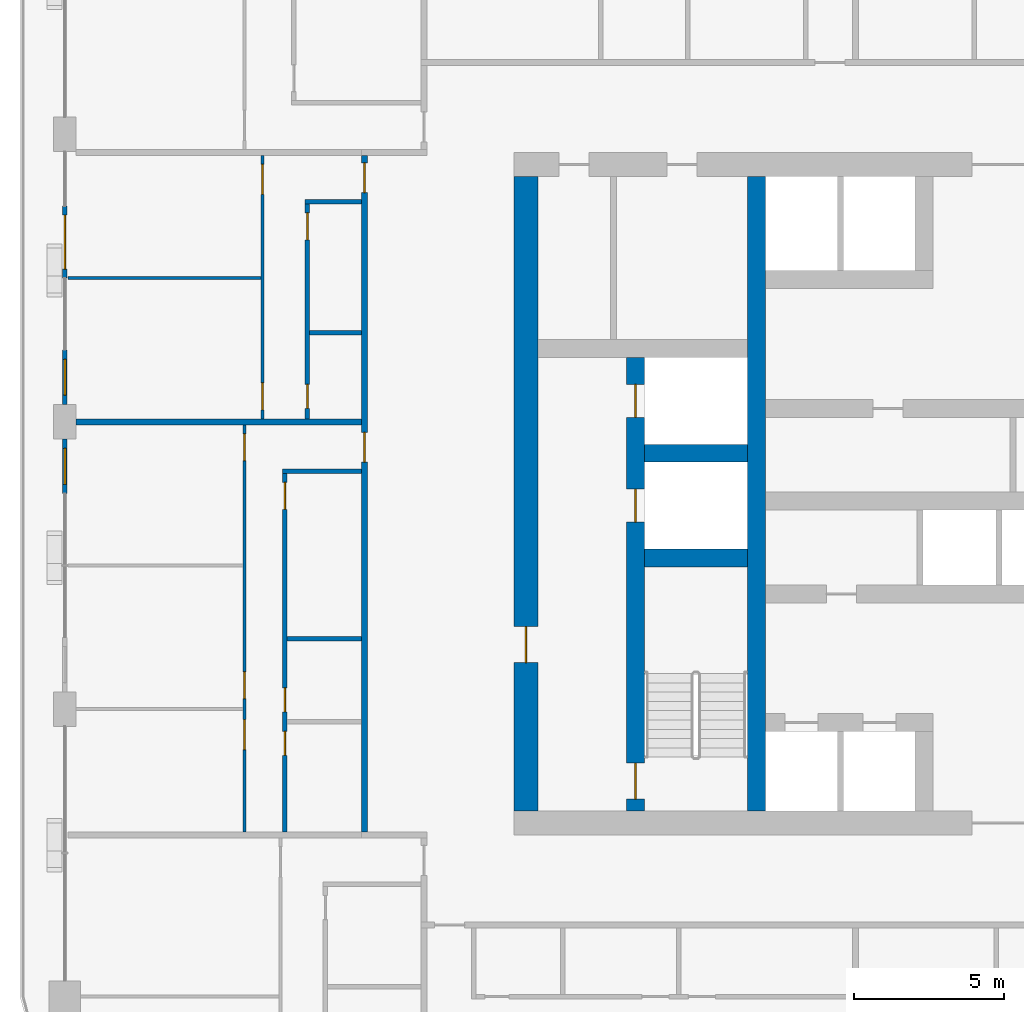
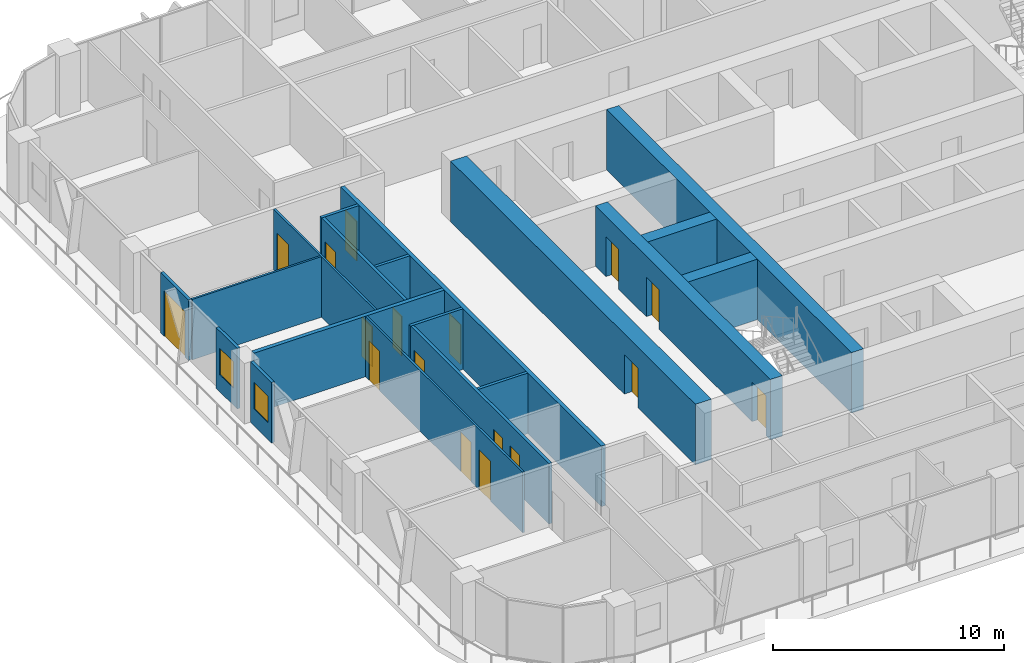
# One storey, part 10 of 22: 19 walls, 17 doors, 2 windows, 19 openings.
"""IFC4 building model written with IfcOpenShell, lengths in metres."""

from ifc_helpers import new_model, si_unit, direction, frame, frame_2d, origin, place, context, subcontext, project, spatial, rectangle, extrude, material, layer, layer_set, type_object, element, fill, save


model = new_model("IFC4")

# Units and contexts
model_context = context("Model", 3, precision=1e-05, world=origin(), true_north=direction((0.0, 1.0)))
body_context = subcontext(model_context, "Body", "Model", "MODEL_VIEW")
ifc_project = project(units=[si_unit("LENGTHUNIT", "METRE"), si_unit("AREAUNIT", "SQUARE_METRE"), si_unit("VOLUMEUNIT", "CUBIC_METRE"), si_unit("PLANEANGLEUNIT", "RADIAN"), si_unit("MASSUNIT", "GRAM", prefix="KILO")], contexts=[model_context])

# Site, building, storey
site_placement = place(None, origin())
site = spatial("IfcSite", under=ifc_project, at=site_placement, CompositionType="ELEMENT")
building_placement = place(site_placement, origin())
building = spatial("IfcBuilding", under=site, at=building_placement, Name="Madar Terraces", CompositionType="ELEMENT")
storey_placement = place(building_placement, frame((0.0, 0.0, 119.10009765625)))
storey = spatial("IfcBuildingStorey", under=building, at=storey_placement, Name="L30", CompositionType="ELEMENT", Elevation=119.10009765625)

# Wall, openings, doors
ifc_material_1 = material(Name="Concrete C70/85", Category="concrete")
ifc_layer_1 = layer(ifc_material_1, 0.60009765625)
ifc_layer_set_1 = layer_set([ifc_layer_1], Name="Concrete C70/85 (CIW3 RC wall 600)")
wall_type_1 = type_object("IfcWallType", Name="CIW3 RC wall 600", PredefinedType="SHEAR", material=ifc_layer_set_1)
wall_1_placement = place(storey_placement, frame((19.050048828125, 15.800048828125, 0.0), z_axis=(0.0, 0.0, 1.0), x_axis=(0.0, 1.0, 0.0)))
wall_1 = element("IfcWall", 1, at=wall_1_placement, inside=storey, type_object=wall_type_1, Name="CORE SHAFT WALL", PredefinedType="SHEAR", context=body_context, shape_type="SweptSolid", body=[
    extrude(rectangle(XDim=15.14990234375, YDim=0.60009765625, at=frame_2d((7.574951171875, 0.0))), origin(), (0.0, 0.0, 1.0), 3.199951171875),
])
opening_1_placement = place(wall_1_placement, frame((9.64990234375, 0.0, 0.0)))
opening_1 = element("IfcOpeningElement", 2, at=opening_1_placement, cuts=wall_1, Name="Opening LD", PredefinedType="OPENING", context=body_context, shape_type="SweptSolid", body=[
    extrude(rectangle(XDim=1.10009765625, YDim=2.10009765625, at=frame_2d((0.550048828125, 1.050048828125))), frame((0.0, 0.31005859375, 0.0), z_axis=(0.0, -1.0, 0.0), x_axis=(1.0, 0.0, 0.0)), (0.0, 0.0, 1.0), 0.6201171875),
])
opening_2_placement = place(wall_1_placement, frame((13.14990234375, 0.0, 0.0)))
opening_2 = element("IfcOpeningElement", 3, at=opening_2_placement, cuts=wall_1, Name="Opening LD", PredefinedType="OPENING", context=body_context, shape_type="SweptSolid", body=[
    extrude(rectangle(XDim=1.10009765625, YDim=2.10009765625, at=frame_2d((0.550048828125, 1.050048828125))), frame((0.0, 0.31005859375, 0.0), z_axis=(0.0, -1.0, 0.0), x_axis=(1.0, 0.0, 0.0)), (0.0, 0.0, 1.0), 0.6201171875),
])
opening_3_placement = place(wall_1_placement, frame((0.39990234375, 0.0, 0.0)))
opening_3 = element("IfcOpeningElement", 4, at=opening_3_placement, cuts=wall_1, Name="Opening SD1", PredefinedType="OPENING", context=body_context, shape_type="SweptSolid", body=[
    extrude(rectangle(XDim=1.199951171875, YDim=2.10009765625, at=frame_2d((0.60009765625, 1.050048828125))), frame((0.0, 0.31005859375, 0.0), z_axis=(0.0, -1.0, 0.0), x_axis=(1.0, 0.0, 0.0)), (0.0, 0.0, 1.0), 0.6201171875),
])
ifc_material_2 = material(Name="Stainless steel panel", Category="steel")
door_type_1 = type_object("IfcDoorType", Name="Lift landing door 1100 x 2100", OperationType="DOUBLE_DOOR_SLIDING", PredefinedType="DOOR", material=ifc_material_2)
door_1_placement = place(opening_1_placement, origin())
door_1 = element("IfcDoor", 5, at=door_1_placement, inside=storey, type_object=door_type_1, Name="LIFT LANDING DOOR", OperationType="DOUBLE_DOOR_SLIDING", OverallHeight=2.10009765625, OverallWidth=1.10009765625, PredefinedType="DOOR", context=body_context, shape_type="SweptSolid", body=[
    extrude(rectangle(XDim=1.10009765625, YDim=2.10009765625, at=frame_2d((0.550048828125, 1.050048828125))), frame((0.0, 0.02490234375, 0.0), z_axis=(0.0, -1.0, 0.0), x_axis=(1.0, 0.0, 0.0)), (0.0, 0.0, 1.0), 0.050048828125),
])
fill(opening_1, door_1)
door_2_placement = place(opening_2_placement, origin())
door_2 = element("IfcDoor", 6, at=door_2_placement, inside=storey, type_object=door_type_1, Name="LIFT LANDING DOOR", OperationType="DOUBLE_DOOR_SLIDING", OverallHeight=2.10009765625, OverallWidth=1.10009765625, PredefinedType="DOOR", context=body_context, shape_type="SweptSolid", body=[
    extrude(rectangle(XDim=1.10009765625, YDim=2.10009765625, at=frame_2d((0.550048828125, 1.050048828125))), frame((0.0, 0.02490234375, 0.0), z_axis=(0.0, -1.0, 0.0), x_axis=(1.0, 0.0, 0.0)), (0.0, 0.0, 1.0), 0.050048828125),
])
fill(opening_2, door_2)
ifc_material_3 = material(Name="Steel door leaf", Category="steel")
door_type_2 = type_object("IfcDoorType", Name="Stair door 1200 x 2100", OperationType="NOTDEFINED", PredefinedType="DOOR", material=ifc_material_3)
door_3_placement = place(opening_3_placement, frame((1.199951171875, 0.0, 0.0), z_axis=(0.0, 0.0, 1.0), x_axis=(-1.0, 0.0, 0.0)))
door_3 = element("IfcDoor", 7, at=door_3_placement, inside=storey, type_object=door_type_2, Name="STAIR DOOR", OperationType="SINGLE_SWING_RIGHT", OverallHeight=2.10009765625, OverallWidth=1.199951171875, PredefinedType="DOOR", context=body_context, shape_type="SweptSolid", body=[
    extrude(rectangle(XDim=1.199951171875, YDim=2.10009765625, at=frame_2d((0.60009765625, 1.050048828125))), frame((0.0, 0.02490234375, 0.0), z_axis=(0.0, -1.0, 0.0), x_axis=(1.0, 0.0, 0.0)), (0.0, 0.0, 1.0), 0.050048828125),
])
fill(opening_3, door_3)

# Walls
wall_2_placement = place(storey_placement, frame((23.10009765625, 15.800048828125, 0.0), z_axis=(0.0, 0.0, 1.0), x_axis=(0.0, 1.0, 0.0)))
element("IfcWall", 8, at=wall_2_placement, inside=storey, type_object=wall_type_1, Name="CORE SHAFT WALL", PredefinedType="SHEAR", context=body_context, shape_type="SweptSolid", body=[
    extrude(rectangle(XDim=21.199951171875, YDim=0.60009765625, at=frame_2d((10.60009765625, 0.0))), origin(), (0.0, 0.0, 1.0), 3.199951171875),
])
for number, where, z_axis, x_axis, name in (
    (9, (19.35009765625, 24.25, 0.0), (0.0, 0.0, 1.0), (1.0, 0.0, 0.0), "CORE SHAFT WALL"),
    (10, (19.35009765625, 27.75, 0.0), (0.0, 0.0, 1.0), (1.0, 0.0, 0.0), "CORE SHAFT WALL"),
):
    element("IfcWall", number, at=place(storey_placement, frame(where, z_axis=z_axis, x_axis=x_axis)), inside=storey, type_object=wall_type_1, Name=name, PredefinedType="SHEAR", context=body_context, shape_type="SweptSolid", body=[
        extrude(rectangle(XDim=3.449951171875, YDim=0.60009765625, at=frame_2d((1.72509765625, 0.0))), origin(), (0.0, 0.0, 1.0), 3.199951171875),
    ])

# Wall, opening, door
ifc_material_4 = material(Name="Concrete C70/85", Category="concrete")
ifc_layer_2 = layer(ifc_material_4, 0.800048828125)
ifc_layer_set_2 = layer_set([ifc_layer_2], Name="Concrete C70/85 (CRW3 RC wall 800)")
wall_type_2 = type_object("IfcWallType", Name="CRW3 RC wall 800", PredefinedType="SHEAR", material=ifc_layer_set_2)
wall_3_placement = place(storey_placement, frame((15.39990234375, 15.800048828125, 0.0), z_axis=(0.0, 0.0, 1.0), x_axis=(0.0, 1.0, 0.0)))
wall_3 = element("IfcWall", 11, at=wall_3_placement, inside=storey, type_object=wall_type_2, Name="CORE OUTER WALL", PredefinedType="SHEAR", context=body_context, shape_type="SweptSolid", body=[
    extrude(rectangle(XDim=21.199951171875, YDim=0.800048828125, at=frame_2d((10.60009765625, 0.0))), origin(), (0.0, 0.0, 1.0), 3.199951171875),
])
opening_4_placement = place(wall_3_placement, frame((4.9599609375, 0.0, 0.0)))
opening_4 = element("IfcOpeningElement", 12, at=opening_4_placement, cuts=wall_3, Name="Opening SD1", PredefinedType="OPENING", context=body_context, shape_type="SweptSolid", body=[
    extrude(rectangle(XDim=1.199951171875, YDim=2.10009765625, at=frame_2d((0.60009765625, 1.050048828125))), frame((0.0, 0.409912109375, 0.0), z_axis=(0.0, -1.0, 0.0), x_axis=(1.0, 0.0, 0.0)), (0.0, 0.0, 1.0), 0.820068359375),
])
door_4_placement = place(opening_4_placement, frame((1.199951171875, 0.0, 0.0), z_axis=(0.0, 0.0, 1.0), x_axis=(-1.0, 0.0, 0.0)))
door_4 = element("IfcDoor", 13, at=door_4_placement, inside=storey, type_object=door_type_2, Name="STAIR DOOR", OperationType="SINGLE_SWING_LEFT", OverallHeight=2.10009765625, OverallWidth=1.199951171875, PredefinedType="DOOR", context=body_context, shape_type="SweptSolid", body=[
    extrude(rectangle(XDim=1.199951171875, YDim=2.10009765625, at=frame_2d((0.60009765625, 1.050048828125))), frame((0.0, 0.02490234375, 0.0), z_axis=(0.0, -1.0, 0.0), x_axis=(1.0, 0.0, 0.0)), (0.0, 0.0, 1.0), 0.050048828125),
])
fill(opening_4, door_4)

ifc_material_5 = material(Name="Aluminium composite panel, black, over insulated backing", Category="aluminium")
ifc_layer_3 = layer(ifc_material_5, 0.14990234375)
ifc_layer_set_3 = layer_set([ifc_layer_3], Name="Facade bay panel 150")
wall_type_3 = type_object("IfcWallType", Name="Facade bay panel 150", PredefinedType="SOLIDWALL", material=ifc_layer_set_3)
wall_4_placement = place(storey_placement, frame((0.0, 36.0, 0.0), z_axis=(0.0, 0.0, 1.0), x_axis=(0.0, -1.0, 0.0)))
wall_4 = element("IfcWall", 14, at=wall_4_placement, inside=storey, type_object=wall_type_3, Name="Facade bay panel", PredefinedType="SOLIDWALL", context=body_context, shape_type="SweptSolid", body=[
    extrude(rectangle(XDim=2.39990234375, YDim=0.14990234375, at=frame_2d((1.199951171875, 0.0))), origin(), (0.0, 0.0, 1.0), 3.199951171875),
])
opening_5_placement = place(wall_4_placement, frame((0.300048828125, 0.0, 0.0)))
opening_5 = element("IfcOpeningElement", 15, at=opening_5_placement, cuts=wall_4, Name="Opening ED1", PredefinedType="OPENING", context=body_context, shape_type="SweptSolid", body=[
    extrude(rectangle(XDim=1.800048828125, YDim=2.39990234375, at=frame_2d((0.89990234375, 1.199951171875))), frame((0.0, 0.0849609375, 0.0), z_axis=(0.0, -1.0, 0.0), x_axis=(1.0, 0.0, 0.0)), (0.0, 0.0, 1.0), 0.169921875),
])
ifc_material_6 = material(Name="Glass, clear, with black aluminium frame", Category="aluminium")
door_type_3 = type_object("IfcDoorType", Name="Balcony and terrace sliding door 1800 x 2400", OperationType="SLIDING_TO_LEFT", PredefinedType="DOOR", material=ifc_material_6)
door_5_placement = place(opening_5_placement, origin())
door_5 = element("IfcDoor", 16, at=door_5_placement, inside=storey, type_object=door_type_3, Name="Balcony door", OperationType="SLIDING_TO_LEFT", OverallHeight=2.39990234375, OverallWidth=1.800048828125, PredefinedType="DOOR", context=body_context, shape_type="SweptSolid", body=[
    extrude(rectangle(XDim=1.800048828125, YDim=2.39990234375, at=frame_2d((0.89990234375, 1.199951171875))), frame((0.0, 0.02490234375, 0.0), z_axis=(0.0, -1.0, 0.0), x_axis=(1.0, 0.0, 0.0)), (0.0, 0.0, 1.0), 0.050048828125),
])
fill(opening_5, door_5)

# Wall, opening, window
wall_5_placement = place(storey_placement, frame((0.0, 31.199951171875, 0.0), z_axis=(0.0, 0.0, 1.0), x_axis=(0.0, -1.0, 0.0)))
wall_5 = element("IfcWall", 17, at=wall_5_placement, inside=storey, type_object=wall_type_3, Name="Facade bay panel", PredefinedType="SOLIDWALL", context=body_context, shape_type="SweptSolid", body=[
    extrude(rectangle(XDim=1.824951171875, YDim=0.14990234375, at=frame_2d((0.91259765625, 0.0))), origin(), (0.0, 0.0, 1.0), 3.199951171875),
])
opening_6_placement = place(wall_5_placement, frame((0.3125, 0.0, 0.89990234375)))
opening_6 = element("IfcOpeningElement", 18, at=opening_6_placement, cuts=wall_5, Name="Opening W1", PredefinedType="OPENING", context=body_context, shape_type="SweptSolid", body=[
    extrude(rectangle(XDim=1.199951171875, YDim=1.39990234375, at=frame_2d((0.60009765625, 0.699951171875))), frame((0.0, 0.0849609375, 0.0), z_axis=(0.0, -1.0, 0.0), x_axis=(1.0, 0.0, 0.0)), (0.0, 0.0, 1.0), 0.169921875),
])
ifc_material_7 = material(Name="Glass, clear, with black aluminium frame", Category="aluminium")
window_type = type_object("IfcWindowType", Name="Vent window 1200 x 1400", PartitioningType="SINGLE_PANEL", PredefinedType="WINDOW", material=ifc_material_7)
window_1_placement = place(opening_6_placement, origin())
window_1 = element("IfcWindow", 19, at=window_1_placement, inside=storey, type_object=window_type, Name="Operable vent window", OverallHeight=1.39990234375, OverallWidth=1.199951171875, PartitioningType="SINGLE_PANEL", PredefinedType="WINDOW", context=body_context, shape_type="SweptSolid", body=[
    extrude(rectangle(XDim=1.199951171875, YDim=1.39990234375, at=frame_2d((0.60009765625, 0.699951171875))), frame((0.0, 0.030029296875, 0.0), z_axis=(0.0, -1.0, 0.0), x_axis=(1.0, 0.0, 0.0)), (0.0, 0.0, 1.0), 0.06005859375),
])
fill(opening_6, window_1)

wall_6_placement = place(storey_placement, frame((0.0, 28.22509765625, 0.0), z_axis=(0.0, 0.0, 1.0), x_axis=(0.0, -1.0, 0.0)))
wall_6 = element("IfcWall", 20, at=wall_6_placement, inside=storey, type_object=wall_type_3, Name="Facade bay panel", PredefinedType="SOLIDWALL", context=body_context, shape_type="SweptSolid", body=[
    extrude(rectangle(XDim=1.8251953125, YDim=0.14990234375, at=frame_2d((0.91259765625, 0.0))), origin(), (0.0, 0.0, 1.0), 3.199951171875),
])
opening_7_placement = place(wall_6_placement, frame((0.3125, 0.0, 0.89990234375)))
opening_7 = element("IfcOpeningElement", 21, at=opening_7_placement, cuts=wall_6, Name="Opening W1", PredefinedType="OPENING", context=body_context, shape_type="SweptSolid", body=[
    extrude(rectangle(XDim=1.199951171875, YDim=1.39990234375, at=frame_2d((0.60009765625, 0.699951171875))), frame((0.0, 0.0849609375, 0.0), z_axis=(0.0, -1.0, 0.0), x_axis=(1.0, 0.0, 0.0)), (0.0, 0.0, 1.0), 0.169921875),
])
window_2_placement = place(opening_7_placement, origin())
window_2 = element("IfcWindow", 22, at=window_2_placement, inside=storey, type_object=window_type, Name="Operable vent window", OverallHeight=1.39990234375, OverallWidth=1.199951171875, PartitioningType="SINGLE_PANEL", PredefinedType="WINDOW", context=body_context, shape_type="SweptSolid", body=[
    extrude(rectangle(XDim=1.199951171875, YDim=1.39990234375, at=frame_2d((0.60009765625, 0.699951171875))), frame((0.0, 0.030029296875, 0.0), z_axis=(0.0, -1.0, 0.0), x_axis=(1.0, 0.0, 0.0)), (0.0, 0.0, 1.0), 0.06005859375),
])
fill(opening_7, window_2)

# Wall
ifc_material_8 = material(Name="Gypsum board on steel studs", Category="steel")
ifc_layer_4 = layer(ifc_material_8, 0.10009765625)
ifc_layer_set_4 = layer_set([ifc_layer_4], Name="Flat partition 100")
wall_type_4 = type_object("IfcWallType", Name="Flat partition 100", PredefinedType="PARTITIONING", material=ifc_layer_set_4)
wall_7_placement = place(storey_placement, frame((6.550048828125, 33.60009765625, 0.0), z_axis=(0.0, 0.0, 1.0), x_axis=(-1.0, 0.0, 0.0)))
element("IfcWall", 23, at=wall_7_placement, inside=storey, type_object=wall_type_4, Name="Flat partition 100", PredefinedType="PARTITIONING", context=body_context, shape_type="SweptSolid", body=[
    extrude(rectangle(XDim=6.449951171875, YDim=0.10009765625, at=frame_2d((3.22509765625, 0.0))), origin(), (0.0, 0.0, 1.0), 3.199951171875),
])

# Wall, openings, doors
wall_8_placement = place(storey_placement, frame((6.60009765625, 28.89990234375, 0.0), z_axis=(0.0, 0.0, 1.0), x_axis=(0.0, 1.0, 0.0)))
wall_8 = element("IfcWall", 24, at=wall_8_placement, inside=storey, type_object=wall_type_4, Name="Flat partition 100", PredefinedType="PARTITIONING", context=body_context, shape_type="SweptSolid", body=[
    extrude(rectangle(XDim=8.800048828125, YDim=0.10009765625, at=frame_2d((4.39990234375, 0.0))), origin(), (0.0, 0.0, 1.0), 3.199951171875),
])
opening_8_placement = place(wall_8_placement, frame((7.5, 0.0, 0.0)))
opening_8 = element("IfcOpeningElement", 25, at=opening_8_placement, cuts=wall_8, Name="Opening D3", PredefinedType="OPENING", context=body_context, shape_type="SweptSolid", body=[
    extrude(rectangle(XDim=1.0, YDim=2.10009765625, at=frame_2d((0.5, 1.050048828125))), frame((0.0, 0.06005859375, 0.0), z_axis=(0.0, -1.0, 0.0), x_axis=(1.0, 0.0, 0.0)), (0.0, 0.0, 1.0), 0.1201171875),
])
opening_9_placement = place(wall_8_placement, frame((0.300048828125, 0.0, 0.0)))
opening_9 = element("IfcOpeningElement", 26, at=opening_9_placement, cuts=wall_8, Name="Opening D2", PredefinedType="OPENING", context=body_context, shape_type="SweptSolid", body=[
    extrude(rectangle(XDim=0.89990234375, YDim=2.10009765625, at=frame_2d((0.449951171875, 1.050048828125))), frame((0.0, 0.06005859375, 0.0), z_axis=(0.0, -1.0, 0.0), x_axis=(1.0, 0.0, 0.0)), (0.0, 0.0, 1.0), 0.1201171875),
])
ifc_material_9 = material(Name="Timber door leaf", Category="wood")
door_type_4 = type_object("IfcDoorType", Name="Flat living room door 1000", OperationType="NOTDEFINED", PredefinedType="DOOR", material=ifc_material_9)
door_6_placement = place(opening_8_placement, origin())
door_6 = element("IfcDoor", 27, at=door_6_placement, inside=storey, type_object=door_type_4, Name="Flat living room door 1000", OperationType="SINGLE_SWING_RIGHT", OverallHeight=2.10009765625, OverallWidth=1.0, PredefinedType="DOOR", context=body_context, shape_type="SweptSolid", body=[
    extrude(rectangle(XDim=1.0, YDim=2.10009765625, at=frame_2d((0.5, 1.050048828125))), frame((0.0, 0.02490234375, 0.0), z_axis=(0.0, -1.0, 0.0), x_axis=(1.0, 0.0, 0.0)), (0.0, 0.0, 1.0), 0.050048828125),
])
fill(opening_8, door_6)
ifc_material_10 = material(Name="Timber door leaf", Category="wood")
door_type_5 = type_object("IfcDoorType", Name="Flat room door 900", OperationType="NOTDEFINED", PredefinedType="DOOR", material=ifc_material_10)
door_7_placement = place(opening_9_placement, origin())
door_7 = element("IfcDoor", 28, at=door_7_placement, inside=storey, type_object=door_type_5, Name="Flat room door 900", OperationType="SINGLE_SWING_LEFT", OverallHeight=2.10009765625, OverallWidth=0.89990234375, PredefinedType="DOOR", context=body_context, shape_type="SweptSolid", body=[
    extrude(rectangle(XDim=0.89990234375, YDim=2.10009765625, at=frame_2d((0.449951171875, 1.050048828125))), frame((0.0, 0.02490234375, 0.0), z_axis=(0.0, -1.0, 0.0), x_axis=(1.0, 0.0, 0.0)), (0.0, 0.0, 1.0), 0.050048828125),
])
fill(opening_9, door_7)

wall_9_placement = place(storey_placement, frame((6.0, 15.10009765625, 0.0), z_axis=(0.0, 0.0, 1.0), x_axis=(0.0, 1.0, 0.0)))
wall_9 = element("IfcWall", 29, at=wall_9_placement, inside=storey, type_object=wall_type_4, Name="Flat partition 100", PredefinedType="PARTITIONING", context=body_context, shape_type="SweptSolid", body=[
    extrude(rectangle(XDim=13.599853515625, YDim=0.10009765625, at=frame_2d((6.7998046875, 0.0))), origin(), (0.0, 0.0, 1.0), 3.199951171875),
])
opening_10_placement = place(wall_9_placement, frame((12.39990234375, 0.0, 0.0)))
opening_10 = element("IfcOpeningElement", 30, at=opening_10_placement, cuts=wall_9, Name="Opening D2", PredefinedType="OPENING", context=body_context, shape_type="SweptSolid", body=[
    extrude(rectangle(XDim=0.89990234375, YDim=2.10009765625, at=frame_2d((0.449951171875, 1.050048828125))), frame((0.0, 0.06005859375, 0.0), z_axis=(0.0, -1.0, 0.0), x_axis=(1.0, 0.0, 0.0)), (0.0, 0.0, 1.0), 0.1201171875),
])
opening_11_placement = place(wall_9_placement, frame((4.449951171875, 0.0, 0.0)))
opening_11 = element("IfcOpeningElement", 31, at=opening_11_placement, cuts=wall_9, Name="Opening D2", PredefinedType="OPENING", context=body_context, shape_type="SweptSolid", body=[
    extrude(rectangle(XDim=0.89990234375, YDim=2.10009765625, at=frame_2d((0.449951171875, 1.050048828125))), frame((0.0, 0.06005859375, 0.0), z_axis=(0.0, -1.0, 0.0), x_axis=(1.0, 0.0, 0.0)), (0.0, 0.0, 1.0), 0.1201171875),
])
opening_12_placement = place(wall_9_placement, frame((2.75, 0.0, 0.0)))
opening_12 = element("IfcOpeningElement", 32, at=opening_12_placement, cuts=wall_9, Name="Opening D3", PredefinedType="OPENING", context=body_context, shape_type="SweptSolid", body=[
    extrude(rectangle(XDim=1.0, YDim=2.10009765625, at=frame_2d((0.5, 1.050048828125))), frame((0.0, 0.06005859375, 0.0), z_axis=(0.0, -1.0, 0.0), x_axis=(1.0, 0.0, 0.0)), (0.0, 0.0, 1.0), 0.1201171875),
])
door_8_placement = place(opening_12_placement, origin())
door_8 = element("IfcDoor", 33, at=door_8_placement, inside=storey, type_object=door_type_4, Name="Flat living room door 1000", OperationType="SINGLE_SWING_RIGHT", OverallHeight=2.10009765625, OverallWidth=1.0, PredefinedType="DOOR", context=body_context, shape_type="SweptSolid", body=[
    extrude(rectangle(XDim=1.0, YDim=2.10009765625, at=frame_2d((0.5, 1.050048828125))), frame((0.0, 0.02490234375, 0.0), z_axis=(0.0, -1.0, 0.0), x_axis=(1.0, 0.0, 0.0)), (0.0, 0.0, 1.0), 0.050048828125),
])
fill(opening_12, door_8)
door_9_placement = place(opening_10_placement, origin())
door_9 = element("IfcDoor", 34, at=door_9_placement, inside=storey, type_object=door_type_5, Name="Flat room door 900", OperationType="SINGLE_SWING_RIGHT", OverallHeight=2.10009765625, OverallWidth=0.89990234375, PredefinedType="DOOR", context=body_context, shape_type="SweptSolid", body=[
    extrude(rectangle(XDim=0.89990234375, YDim=2.10009765625, at=frame_2d((0.449951171875, 1.050048828125))), frame((0.0, 0.02490234375, 0.0), z_axis=(0.0, -1.0, 0.0), x_axis=(1.0, 0.0, 0.0)), (0.0, 0.0, 1.0), 0.050048828125),
])
fill(opening_10, door_9)
door_10_placement = place(opening_11_placement, origin())
door_10 = element("IfcDoor", 35, at=door_10_placement, inside=storey, type_object=door_type_5, Name="Flat room door 900", OperationType="SINGLE_SWING_LEFT", OverallHeight=2.10009765625, OverallWidth=0.89990234375, PredefinedType="DOOR", context=body_context, shape_type="SweptSolid", body=[
    extrude(rectangle(XDim=0.89990234375, YDim=2.10009765625, at=frame_2d((0.449951171875, 1.050048828125))), frame((0.0, 0.02490234375, 0.0), z_axis=(0.0, -1.0, 0.0), x_axis=(1.0, 0.0, 0.0)), (0.0, 0.0, 1.0), 0.050048828125),
])
fill(opening_11, door_10)

ifc_material_11 = material(Name="Lightweight blockwork", Category="masonry")
ifc_layer_5 = layer(ifc_material_11, 0.199951171875)
ifc_layer_set_5 = layer_set([ifc_layer_5], Name="Flat party and entrance wall 200")
wall_type_5 = type_object("IfcWallType", Name="Flat party and entrance wall 200", PredefinedType="PARTITIONING", material=ifc_layer_set_5)
wall_10_placement = place(storey_placement, frame((10.0, 15.10009765625, 0.0), z_axis=(0.0, 0.0, 1.0), x_axis=(0.0, 1.0, 0.0)))
wall_10 = element("IfcWall", 36, at=wall_10_placement, inside=storey, type_object=wall_type_5, Name="Flat party and entrance wall 200", PredefinedType="PARTITIONING", context=body_context, shape_type="SweptSolid", body=[
    extrude(rectangle(XDim=22.599853515625, YDim=0.199951171875, at=frame_2d((11.2998046875, 0.0))), origin(), (0.0, 0.0, 1.0), 3.199951171875),
])
opening_13_placement = place(wall_10_placement, frame((21.35009765625, 0.0, 0.0)))
opening_13 = element("IfcOpeningElement", 37, at=opening_13_placement, cuts=wall_10, Name="Opening D1", PredefinedType="OPENING", context=body_context, shape_type="SweptSolid", body=[
    extrude(rectangle(XDim=1.0, YDim=2.10009765625, at=frame_2d((0.5, 1.050048828125))), frame((0.0, 0.10986328125, 0.0), z_axis=(0.0, -1.0, 0.0), x_axis=(1.0, 0.0, 0.0)), (0.0, 0.0, 1.0), 0.219970703125),
])
opening_14_placement = place(wall_10_placement, frame((12.35009765625, 0.0, 0.0)))
opening_14 = element("IfcOpeningElement", 38, at=opening_14_placement, cuts=wall_10, Name="Opening D1", PredefinedType="OPENING", context=body_context, shape_type="SweptSolid", body=[
    extrude(rectangle(XDim=1.0, YDim=2.10009765625, at=frame_2d((0.5, 1.050048828125))), frame((0.0, 0.10986328125, 0.0), z_axis=(0.0, -1.0, 0.0), x_axis=(1.0, 0.0, 0.0)), (0.0, 0.0, 1.0), 0.219970703125),
])
ifc_material_12 = material(Name="Timber fire door leaf", Category="wood")
door_type_6 = type_object("IfcDoorType", Name="Flat entrance door 1000 FD30S", OperationType="NOTDEFINED", PredefinedType="DOOR", material=ifc_material_12)
door_11_placement = place(opening_13_placement, origin())
door_11 = element("IfcDoor", 39, at=door_11_placement, inside=storey, type_object=door_type_6, Name="Flat entrance door 1000 FD30S", OperationType="SINGLE_SWING_RIGHT", OverallHeight=2.10009765625, OverallWidth=1.0, PredefinedType="DOOR", context=body_context, shape_type="SweptSolid", body=[
    extrude(rectangle(XDim=1.0, YDim=2.10009765625, at=frame_2d((0.5, 1.050048828125))), frame((0.0, 0.02490234375, 0.0), z_axis=(0.0, -1.0, 0.0), x_axis=(1.0, 0.0, 0.0)), (0.0, 0.0, 1.0), 0.050048828125),
])
fill(opening_13, door_11)
door_12_placement = place(opening_14_placement, origin())
door_12 = element("IfcDoor", 40, at=door_12_placement, inside=storey, type_object=door_type_6, Name="Flat entrance door 1000 FD30S", OperationType="SINGLE_SWING_RIGHT", OverallHeight=2.10009765625, OverallWidth=1.0, PredefinedType="DOOR", context=body_context, shape_type="SweptSolid", body=[
    extrude(rectangle(XDim=1.0, YDim=2.10009765625, at=frame_2d((0.5, 1.050048828125))), frame((0.0, 0.02490234375, 0.0), z_axis=(0.0, -1.0, 0.0), x_axis=(1.0, 0.0, 0.0)), (0.0, 0.0, 1.0), 0.050048828125),
])
fill(opening_14, door_12)

# Walls
wall_11_placement = place(storey_placement, frame((0.375, 28.800048828125, 0.0), z_axis=(0.0, 0.0, 1.0), x_axis=(1.0, 0.0, 0.0)))
element("IfcWall", 41, at=wall_11_placement, inside=storey, type_object=wall_type_5, Name="Flat party and entrance wall 200", PredefinedType="PARTITIONING", context=body_context, shape_type="SweptSolid", body=[
    extrude(rectangle(XDim=9.52490234375, YDim=0.199951171875, at=frame_2d((4.762451171875, 0.0))), origin(), (0.0, 0.0, 1.0), 3.199951171875),
])
ifc_material_13 = material(Name="Lightweight blockwork", Category="masonry")
ifc_layer_6 = layer(ifc_material_13, 0.14990234375)
ifc_layer_set_6 = layer_set([ifc_layer_6], Name="Flat wet-room partition 150")
wall_type_6 = type_object("IfcWallType", Name="Flat wet-room partition 150", PredefinedType="PARTITIONING", material=ifc_layer_set_6)
wall_12_placement = place(storey_placement, frame((9.89990234375, 31.77001953125, 0.0), z_axis=(0.0, 0.0, 1.0), x_axis=(-1.0, 0.0, 0.0)))
element("IfcWall", 42, at=wall_12_placement, inside=storey, type_object=wall_type_6, Name="Flat wet-room partition 150", PredefinedType="PARTITIONING", context=body_context, shape_type="SweptSolid", body=[
    extrude(rectangle(XDim=1.724853515625, YDim=0.14990234375, at=frame_2d((0.8623046875, 0.0))), origin(), (0.0, 0.0, 1.0), 3.199951171875),
])
wall_13_placement = place(storey_placement, frame((9.89990234375, 36.14990234375, 0.0), z_axis=(0.0, 0.0, 1.0), x_axis=(-1.0, 0.0, 0.0)))
element("IfcWall", 43, at=wall_13_placement, inside=storey, type_object=wall_type_6, Name="Flat wet-room partition 150", PredefinedType="PARTITIONING", context=body_context, shape_type="SweptSolid", body=[
    extrude(rectangle(XDim=1.875, YDim=0.14990234375, at=frame_2d((0.9375, 0.0))), origin(), (0.0, 0.0, 1.0), 3.199951171875),
])

# Wall, openings, doors
wall_14_placement = place(storey_placement, frame((8.10009765625, 36.074951171875, 0.0), z_axis=(0.0, 0.0, 1.0), x_axis=(0.0, -1.0, 0.0)))
wall_14 = element("IfcWall", 44, at=wall_14_placement, inside=storey, type_object=wall_type_6, Name="Flat wet-room partition 150", PredefinedType="PARTITIONING", context=body_context, shape_type="SweptSolid", body=[
    extrude(rectangle(XDim=7.175048828125, YDim=0.14990234375, at=frame_2d((3.58740234375, 0.0))), origin(), (0.0, 0.0, 1.0), 3.199951171875),
])
opening_15_placement = place(wall_14_placement, frame((0.300048828125, 0.0, 0.0)))
opening_15 = element("IfcOpeningElement", 45, at=opening_15_placement, cuts=wall_14, Name="Opening D2", PredefinedType="OPENING", context=body_context, shape_type="SweptSolid", body=[
    extrude(rectangle(XDim=0.89990234375, YDim=2.10009765625, at=frame_2d((0.449951171875, 1.050048828125))), frame((0.0, 0.0849609375, 0.0), z_axis=(0.0, -1.0, 0.0), x_axis=(1.0, 0.0, 0.0)), (0.0, 0.0, 1.0), 0.169921875),
])
opening_16_placement = place(wall_14_placement, frame((6.02490234375, 0.0, 0.0)))
opening_16 = element("IfcOpeningElement", 46, at=opening_16_placement, cuts=wall_14, Name="Opening D4", PredefinedType="OPENING", context=body_context, shape_type="SweptSolid", body=[
    extrude(rectangle(XDim=0.800048828125, YDim=2.10009765625, at=frame_2d((0.39990234375, 1.050048828125))), frame((0.0, 0.0849609375, 0.0), z_axis=(0.0, -1.0, 0.0), x_axis=(1.0, 0.0, 0.0)), (0.0, 0.0, 1.0), 0.169921875),
])
ifc_material_14 = material(Name="Timber door leaf", Category="wood")
door_type_7 = type_object("IfcDoorType", Name="Flat bathroom door 800", OperationType="NOTDEFINED", PredefinedType="DOOR", material=ifc_material_14)
door_13_placement = place(opening_16_placement, origin())
door_13 = element("IfcDoor", 47, at=door_13_placement, inside=storey, type_object=door_type_7, Name="Flat bathroom door 800", OperationType="SINGLE_SWING_RIGHT", OverallHeight=2.10009765625, OverallWidth=0.800048828125, PredefinedType="DOOR", context=body_context, shape_type="SweptSolid", body=[
    extrude(rectangle(XDim=0.800048828125, YDim=2.10009765625, at=frame_2d((0.39990234375, 1.050048828125))), frame((0.0, 0.02490234375, 0.0), z_axis=(0.0, -1.0, 0.0), x_axis=(1.0, 0.0, 0.0)), (0.0, 0.0, 1.0), 0.050048828125),
])
fill(opening_16, door_13)
door_14_placement = place(opening_15_placement, origin())
door_14 = element("IfcDoor", 48, at=door_14_placement, inside=storey, type_object=door_type_5, Name="Flat room door 900", OperationType="SINGLE_SWING_LEFT", OverallHeight=2.10009765625, OverallWidth=0.89990234375, PredefinedType="DOOR", context=body_context, shape_type="SweptSolid", body=[
    extrude(rectangle(XDim=0.89990234375, YDim=2.10009765625, at=frame_2d((0.449951171875, 1.050048828125))), frame((0.0, 0.02490234375, 0.0), z_axis=(0.0, -1.0, 0.0), x_axis=(1.0, 0.0, 0.0)), (0.0, 0.0, 1.0), 0.050048828125),
])
fill(opening_15, door_14)

# Walls
wall_15_placement = place(storey_placement, frame((9.89990234375, 21.548095703125, 0.0), z_axis=(0.0, 0.0, 1.0), x_axis=(-1.0, 0.0, 0.0)))
element("IfcWall", 49, at=wall_15_placement, inside=storey, type_object=wall_type_6, Name="Flat wet-room partition 150", PredefinedType="PARTITIONING", context=body_context, shape_type="SweptSolid", body=[
    extrude(rectangle(XDim=2.474853515625, YDim=0.14990234375, at=frame_2d((1.2373046875, 0.0))), origin(), (0.0, 0.0, 1.0), 3.199951171875),
])
wall_16_placement = place(storey_placement, frame((9.89990234375, 27.14990234375, 0.0), z_axis=(0.0, 0.0, 1.0), x_axis=(-1.0, 0.0, 0.0)))
element("IfcWall", 50, at=wall_16_placement, inside=storey, type_object=wall_type_6, Name="Flat wet-room partition 150", PredefinedType="PARTITIONING", context=body_context, shape_type="SweptSolid", body=[
    extrude(rectangle(XDim=2.625, YDim=0.14990234375, at=frame_2d((1.3125, 0.0))), origin(), (0.0, 0.0, 1.0), 3.199951171875),
])

# Wall, openings, doors
wall_17_placement = place(storey_placement, frame((7.35009765625, 27.074951171875, 0.0), z_axis=(0.0, 0.0, 1.0), x_axis=(0.0, -1.0, 0.0)))
wall_17 = element("IfcWall", 51, at=wall_17_placement, inside=storey, type_object=wall_type_6, Name="Flat wet-room partition 150", PredefinedType="PARTITIONING", context=body_context, shape_type="SweptSolid", body=[
    extrude(rectangle(XDim=11.974853515625, YDim=0.14990234375, at=frame_2d((5.9873046875, 0.0))), origin(), (0.0, 0.0, 1.0), 3.199951171875),
])
opening_17_placement = place(wall_17_placement, frame((0.300048828125, 0.0, 0.0)))
opening_17 = element("IfcOpeningElement", 52, at=opening_17_placement, cuts=wall_17, Name="Opening D2", PredefinedType="OPENING", context=body_context, shape_type="SweptSolid", body=[
    extrude(rectangle(XDim=0.89990234375, YDim=2.10009765625, at=frame_2d((0.449951171875, 1.050048828125))), frame((0.0, 0.0849609375, 0.0), z_axis=(0.0, -1.0, 0.0), x_axis=(1.0, 0.0, 0.0)), (0.0, 0.0, 1.0), 0.169921875),
])
opening_18_placement = place(wall_17_placement, frame((7.165283203125, 0.0, 0.0)))
opening_18 = element("IfcOpeningElement", 53, at=opening_18_placement, cuts=wall_17, Name="Opening D4", PredefinedType="OPENING", context=body_context, shape_type="SweptSolid", body=[
    extrude(rectangle(XDim=0.800048828125, YDim=2.10009765625, at=frame_2d((0.39990234375, 1.050048828125))), frame((0.0, 0.0849609375, 0.0), z_axis=(0.0, -1.0, 0.0), x_axis=(1.0, 0.0, 0.0)), (0.0, 0.0, 1.0), 0.169921875),
])
opening_19_placement = place(wall_17_placement, frame((8.615478515625, 0.0, 0.0)))
opening_19 = element("IfcOpeningElement", 54, at=opening_19_placement, cuts=wall_17, Name="Opening D4", PredefinedType="OPENING", context=body_context, shape_type="SweptSolid", body=[
    extrude(rectangle(XDim=0.800048828125, YDim=2.10009765625, at=frame_2d((0.39990234375, 1.050048828125))), frame((0.0, 0.0849609375, 0.0), z_axis=(0.0, -1.0, 0.0), x_axis=(1.0, 0.0, 0.0)), (0.0, 0.0, 1.0), 0.169921875),
])
door_15_placement = place(opening_18_placement, origin())
door_15 = element("IfcDoor", 55, at=door_15_placement, inside=storey, type_object=door_type_7, Name="Flat bathroom door 800", OperationType="SINGLE_SWING_RIGHT", OverallHeight=2.10009765625, OverallWidth=0.800048828125, PredefinedType="DOOR", context=body_context, shape_type="SweptSolid", body=[
    extrude(rectangle(XDim=0.800048828125, YDim=2.10009765625, at=frame_2d((0.39990234375, 1.050048828125))), frame((0.0, 0.02490234375, 0.0), z_axis=(0.0, -1.0, 0.0), x_axis=(1.0, 0.0, 0.0)), (0.0, 0.0, 1.0), 0.050048828125),
])
fill(opening_18, door_15)
door_16_placement = place(opening_19_placement, origin())
door_16 = element("IfcDoor", 56, at=door_16_placement, inside=storey, type_object=door_type_7, Name="Flat bathroom door 800", OperationType="SINGLE_SWING_LEFT", OverallHeight=2.10009765625, OverallWidth=0.800048828125, PredefinedType="DOOR", context=body_context, shape_type="SweptSolid", body=[
    extrude(rectangle(XDim=0.800048828125, YDim=2.10009765625, at=frame_2d((0.39990234375, 1.050048828125))), frame((0.0, 0.02490234375, 0.0), z_axis=(0.0, -1.0, 0.0), x_axis=(1.0, 0.0, 0.0)), (0.0, 0.0, 1.0), 0.050048828125),
])
fill(opening_19, door_16)
door_17_placement = place(opening_17_placement, origin())
door_17 = element("IfcDoor", 57, at=door_17_placement, inside=storey, type_object=door_type_5, Name="Flat room door 900", OperationType="SINGLE_SWING_LEFT", OverallHeight=2.10009765625, OverallWidth=0.89990234375, PredefinedType="DOOR", context=body_context, shape_type="SweptSolid", body=[
    extrude(rectangle(XDim=0.89990234375, YDim=2.10009765625, at=frame_2d((0.449951171875, 1.050048828125))), frame((0.0, 0.02490234375, 0.0), z_axis=(0.0, -1.0, 0.0), x_axis=(1.0, 0.0, 0.0)), (0.0, 0.0, 1.0), 0.050048828125),
])
fill(opening_17, door_17)

save(model, "model.ifc")
